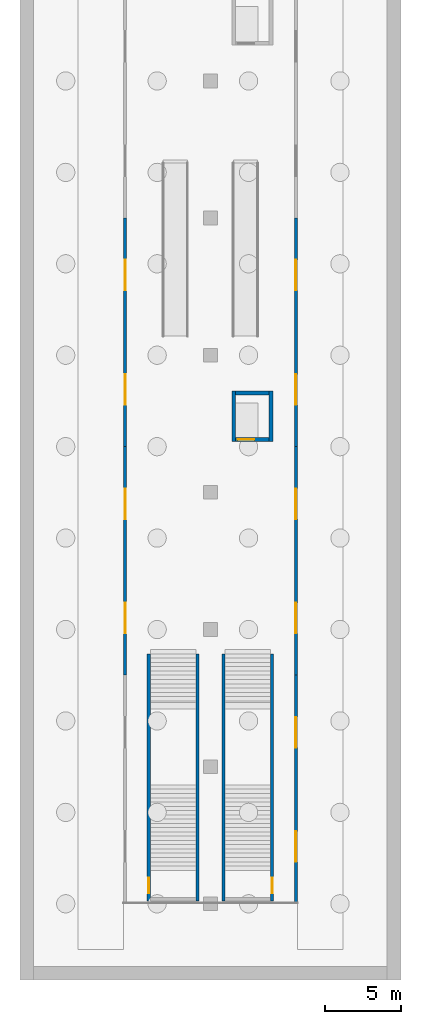
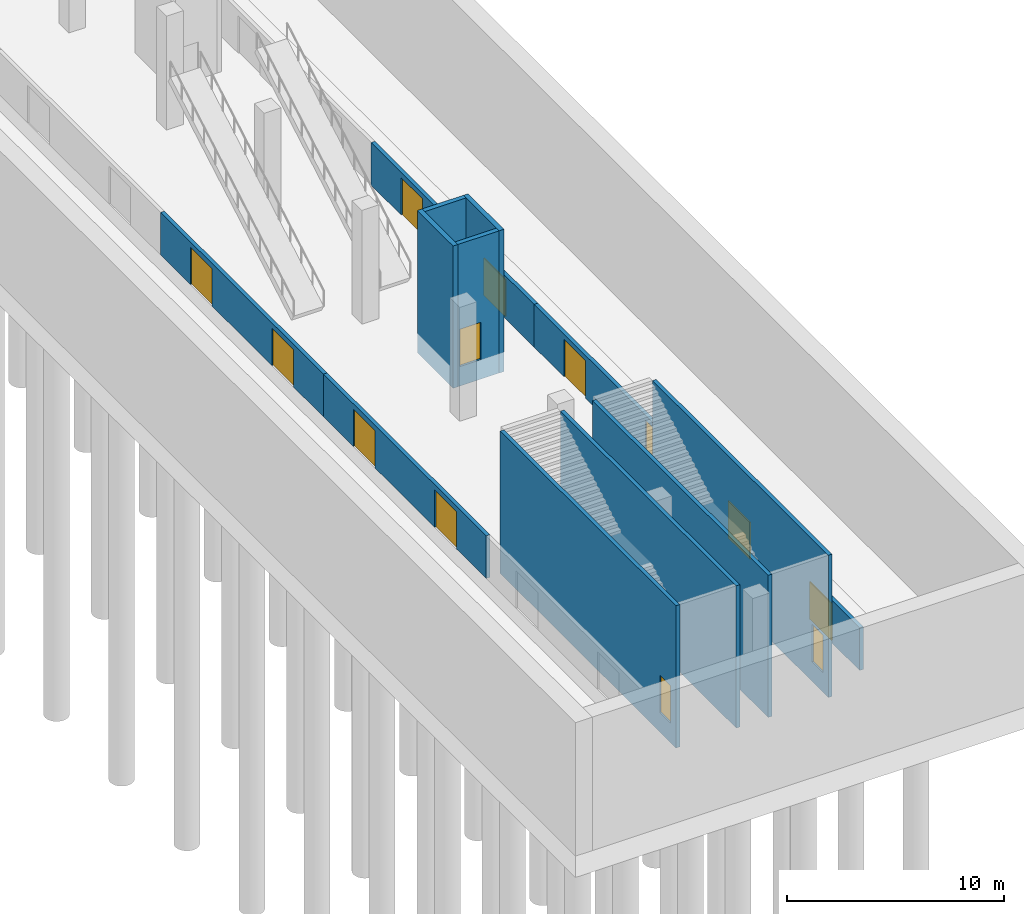
# One storey, part 2 of 16: 13 walls, 10 windows, 3 doors, 13 openings.
"""IFC4 building model written with IfcOpenShell, lengths in metres."""

from ifc_helpers import new_model, si_unit, direction, frame, frame_2d, origin, place, context, subcontext, project, spatial, rectangle, extrude, material, layer, layer_set, type_object, element, fill, save


model = new_model("IFC4")

# Units and contexts
model_context = context("Model", 3, precision=1e-05, world=origin(), true_north=direction((0.0, 1.0)))
body_context = subcontext(model_context, "Body", "Model", "MODEL_VIEW")
ifc_project = project(units=[si_unit("LENGTHUNIT", "METRE"), si_unit("AREAUNIT", "SQUARE_METRE"), si_unit("VOLUMEUNIT", "CUBIC_METRE"), si_unit("PLANEANGLEUNIT", "RADIAN"), si_unit("MASSUNIT", "GRAM", prefix="KILO")], contexts=[model_context])

# Site, building, storey
site_placement = place(None, origin())
site = spatial("IfcSite", under=ifc_project, at=site_placement, CompositionType="ELEMENT")
building_placement = place(site_placement, origin())
building = spatial("IfcBuilding", under=site, at=building_placement, Name="Ogive Plaza Stadium", CompositionType="ELEMENT")
storey_placement = place(building_placement, frame((0.0, 0.0, -11.39990234375)))
storey = spatial("IfcBuildingStorey", under=building, at=storey_placement, Name="B2", CompositionType="ELEMENT", Elevation=-11.39990234375)

# Walls
ifc_material_1 = material(Name="Concrete C40/50", Category="concrete")
ifc_layer_1 = layer(ifc_material_1, 0.25)
ifc_layer_set_1 = layer_set([ifc_layer_1], Name="Concrete C40/50")
wall_type_1 = type_object("IfcWallType", Name="Lift shaft wall 250", PredefinedType="SHEAR", material=ifc_layer_set_1)
for number, where, z_axis, x_axis, name in (
    (1, (109.02490234375, -14.64990234375, -1.10009765625), (0.0, 0.0, 1.0), (0.0, 1.0, 0.0), "Lift shaft wall 250 B2 west"),
    (2, (111.47509765625, -14.64990234375, -1.10009765625), (0.0, 0.0, 1.0), (0.0, 1.0, 0.0), "Lift shaft wall 250 B2 east"),
):
    element("IfcWall", number, at=place(storey_placement, frame(where, z_axis=z_axis, x_axis=x_axis)), inside=storey, type_object=wall_type_1, Name=name, PredefinedType="SHEAR", context=body_context, shape_type="SweptSolid", body=[
        extrude(rectangle(XDim=3.2998046875, YDim=0.25, at=frame_2d((1.64990234375, 0.0))), origin(), (0.0, 0.0, 1.0), 8.0),
    ])

# Wall, opening, door
wall_1_placement = place(storey_placement, frame((109.14990234375, -14.52490234375, -1.10009765625), z_axis=(0.0, 0.0, 1.0), x_axis=(1.0, 0.0, 0.0)))
wall_1 = element("IfcWall", 3, at=wall_1_placement, inside=storey, type_object=wall_type_1, Name="Lift shaft wall 250 B2 south", PredefinedType="SHEAR", context=body_context, shape_type="SweptSolid", body=[
    extrude(rectangle(XDim=2.2001953125, YDim=0.25, at=frame_2d((1.10009765625, 0.0))), origin(), (0.0, 0.0, 1.0), 8.0),
])
opening_1_placement = place(wall_1_placement, frame((0.125, 0.0, 1.10009765625)))
opening_1 = element("IfcOpeningElement", 4, at=opening_1_placement, cuts=wall_1, Name="Opening LD001", PredefinedType="OPENING", context=body_context, shape_type="SweptSolid", body=[
    extrude(rectangle(XDim=1.10009765625, YDim=2.10009765625, at=frame_2d((0.550048828125, 1.050048828125))), frame((0.0, 0.125, 0.0), z_axis=(0.0, -1.0, 0.0), x_axis=(1.0, 0.0, 0.0)), (0.0, 0.0, 1.0), 0.25),
])
ifc_material_2 = material(Name="Stainless steel door set", Category="steel")
door_type_1 = type_object("IfcDoorType", Name="Landing door LD 1100 x 2100", OperationType="SLIDING_TO_LEFT", PredefinedType="DOOR", material=ifc_material_2)
door_1_placement = place(opening_1_placement, origin())
door_1 = element("IfcDoor", 5, at=door_1_placement, inside=storey, type_object=door_type_1, Name="Door LD001", OperationType="SLIDING_TO_LEFT", OverallHeight=2.10009765625, OverallWidth=1.10009765625, PredefinedType="DOOR", context=body_context, shape_type="SweptSolid", body=[
    extrude(rectangle(XDim=1.10009765625, YDim=2.10009765625, at=frame_2d((0.550048828125, 1.050048828125))), frame((0.0, 0.02490234375, 0.0), z_axis=(0.0, -1.0, 0.0), x_axis=(1.0, 0.0, 0.0)), (0.0, 0.0, 1.0), 0.050048828125),
])
fill(opening_1, door_1)

# Wall
wall_2_placement = place(storey_placement, frame((109.14990234375, -11.47509765625, -1.10009765625), z_axis=(0.0, 0.0, 1.0), x_axis=(1.0, 0.0, 0.0)))
element("IfcWall", 6, at=wall_2_placement, inside=storey, type_object=wall_type_1, Name="Lift shaft wall 250 B2 north", PredefinedType="SHEAR", context=body_context, shape_type="SweptSolid", body=[
    extrude(rectangle(XDim=2.2001953125, YDim=0.25, at=frame_2d((1.10009765625, 0.0))), origin(), (0.0, 0.0, 1.0), 8.0),
])

# Wall, openings, windows
ifc_material_3 = material(Name="Laminated glass screen", Category="glass")
ifc_layer_2 = layer(ifc_material_3, 0.199951171875)
ifc_layer_set_2 = layer_set([ifc_layer_2], Name="Platform screen wall 200")
wall_type_2 = type_object("IfcWallType", Name="Platform screen wall 200", PredefinedType="PARTITIONING", material=ifc_layer_set_2)
wall_3_placement = place(storey_placement, frame((101.89990234375, -30.0, 0.0), z_axis=(0.0, 0.0, 1.0), x_axis=(0.0, 1.0, 0.0)))
wall_3 = element("IfcWall", 7, at=wall_3_placement, inside=storey, type_object=wall_type_2, Name="Platform screen wall 2", PredefinedType="PARTITIONING", context=body_context, shape_type="SweptSolid", body=[
    extrude(rectangle(XDim=15.0, YDim=0.199951171875, at=frame_2d((7.5, 0.0))), origin(), (0.0, 0.0, 1.0), 2.39990234375),
])
opening_2_placement = place(wall_3_placement, frame((2.75, 0.0, 0.0)))
opening_2 = element("IfcOpeningElement", 8, at=opening_2_placement, cuts=wall_3, Name="Opening PSG03", PredefinedType="OPENING", context=body_context, shape_type="SweptSolid", body=[
    extrude(rectangle(XDim=2.0, YDim=2.10009765625, at=frame_2d((1.0, 1.050048828125))), frame((0.0, 0.10009765625, 0.0), z_axis=(0.0, -1.0, 0.0), x_axis=(1.0, 0.0, 0.0)), (0.0, 0.0, 1.0), 0.199951171875),
])
opening_3_placement = place(wall_3_placement, frame((10.25, 0.0, 0.0)))
opening_3 = element("IfcOpeningElement", 9, at=opening_3_placement, cuts=wall_3, Name="Opening PSG04", PredefinedType="OPENING", context=body_context, shape_type="SweptSolid", body=[
    extrude(rectangle(XDim=2.0, YDim=2.10009765625, at=frame_2d((1.0, 1.050048828125))), frame((0.0, 0.10009765625, 0.0), z_axis=(0.0, -1.0, 0.0), x_axis=(1.0, 0.0, 0.0)), (0.0, 0.0, 1.0), 0.199951171875),
])
ifc_material_4 = material(Name="Laminated glass and steel frame", Category="steel")
window_type = type_object("IfcWindowType", Name="Platform screen glazing 2000x2100", PartitioningType="DOUBLE_PANEL_HORIZONTAL", PredefinedType="WINDOW", material=ifc_material_4)
window_1_placement = place(opening_2_placement, origin())
window_1 = element("IfcWindow", 10, at=window_1_placement, inside=storey, type_object=window_type, Name="Platform screen glazing PSG03", OverallHeight=2.10009765625, OverallWidth=2.0, PartitioningType="DOUBLE_PANEL_HORIZONTAL", PredefinedType="WINDOW", context=body_context, shape_type="SweptSolid", body=[
    extrude(rectangle(XDim=2.0, YDim=2.10009765625, at=frame_2d((1.0, 1.050048828125))), frame((0.0, 0.030029296875, 0.0), z_axis=(0.0, -1.0, 0.0), x_axis=(1.0, 0.0, 0.0)), (0.0, 0.0, 1.0), 0.06005859375),
])
fill(opening_2, window_1)
window_2_placement = place(opening_3_placement, origin())
window_2 = element("IfcWindow", 11, at=window_2_placement, inside=storey, type_object=window_type, Name="Platform screen glazing PSG04", OverallHeight=2.10009765625, OverallWidth=2.0, PartitioningType="DOUBLE_PANEL_HORIZONTAL", PredefinedType="WINDOW", context=body_context, shape_type="SweptSolid", body=[
    extrude(rectangle(XDim=2.0, YDim=2.10009765625, at=frame_2d((1.0, 1.050048828125))), frame((0.0, 0.030029296875, 0.0), z_axis=(0.0, -1.0, 0.0), x_axis=(1.0, 0.0, 0.0)), (0.0, 0.0, 1.0), 0.06005859375),
])
fill(opening_3, window_2)

wall_4_placement = place(storey_placement, frame((101.89990234375, -15.0, 0.0), z_axis=(0.0, 0.0, 1.0), x_axis=(0.0, 1.0, 0.0)))
wall_4 = element("IfcWall", 12, at=wall_4_placement, inside=storey, type_object=wall_type_2, Name="Platform screen wall 3", PredefinedType="PARTITIONING", context=body_context, shape_type="SweptSolid", body=[
    extrude(rectangle(XDim=15.0, YDim=0.199951171875, at=frame_2d((7.5, 0.0))), origin(), (0.0, 0.0, 1.0), 2.39990234375),
])
opening_4_placement = place(wall_4_placement, frame((2.75, 0.0, 0.0)))
opening_4 = element("IfcOpeningElement", 13, at=opening_4_placement, cuts=wall_4, Name="Opening PSG05", PredefinedType="OPENING", context=body_context, shape_type="SweptSolid", body=[
    extrude(rectangle(XDim=2.0, YDim=2.10009765625, at=frame_2d((1.0, 1.050048828125))), frame((0.0, 0.10009765625, 0.0), z_axis=(0.0, -1.0, 0.0), x_axis=(1.0, 0.0, 0.0)), (0.0, 0.0, 1.0), 0.199951171875),
])
opening_5_placement = place(wall_4_placement, frame((10.25, 0.0, 0.0)))
opening_5 = element("IfcOpeningElement", 14, at=opening_5_placement, cuts=wall_4, Name="Opening PSG06", PredefinedType="OPENING", context=body_context, shape_type="SweptSolid", body=[
    extrude(rectangle(XDim=2.0, YDim=2.10009765625, at=frame_2d((1.0, 1.050048828125))), frame((0.0, 0.10009765625, 0.0), z_axis=(0.0, -1.0, 0.0), x_axis=(1.0, 0.0, 0.0)), (0.0, 0.0, 1.0), 0.199951171875),
])
window_3_placement = place(opening_4_placement, origin())
window_3 = element("IfcWindow", 15, at=window_3_placement, inside=storey, type_object=window_type, Name="Platform screen glazing PSG05", OverallHeight=2.10009765625, OverallWidth=2.0, PartitioningType="DOUBLE_PANEL_HORIZONTAL", PredefinedType="WINDOW", context=body_context, shape_type="SweptSolid", body=[
    extrude(rectangle(XDim=2.0, YDim=2.10009765625, at=frame_2d((1.0, 1.050048828125))), frame((0.0, 0.030029296875, 0.0), z_axis=(0.0, -1.0, 0.0), x_axis=(1.0, 0.0, 0.0)), (0.0, 0.0, 1.0), 0.06005859375),
])
fill(opening_4, window_3)
window_4_placement = place(opening_5_placement, origin())
window_4 = element("IfcWindow", 16, at=window_4_placement, inside=storey, type_object=window_type, Name="Platform screen glazing PSG06", OverallHeight=2.10009765625, OverallWidth=2.0, PartitioningType="DOUBLE_PANEL_HORIZONTAL", PredefinedType="WINDOW", context=body_context, shape_type="SweptSolid", body=[
    extrude(rectangle(XDim=2.0, YDim=2.10009765625, at=frame_2d((1.0, 1.050048828125))), frame((0.0, 0.030029296875, 0.0), z_axis=(0.0, -1.0, 0.0), x_axis=(1.0, 0.0, 0.0)), (0.0, 0.0, 1.0), 0.06005859375),
])
fill(opening_5, window_4)

wall_5_placement = place(storey_placement, frame((113.10009765625, -45.0, 0.0), z_axis=(0.0, 0.0, 1.0), x_axis=(0.0, 1.0, 0.0)))
wall_5 = element("IfcWall", 17, at=wall_5_placement, inside=storey, type_object=wall_type_2, Name="Platform screen wall 7", PredefinedType="PARTITIONING", context=body_context, shape_type="SweptSolid", body=[
    extrude(rectangle(XDim=15.0, YDim=0.199951171875, at=frame_2d((7.5, 0.0))), origin(), (0.0, 0.0, 1.0), 2.39990234375),
])
opening_6_placement = place(wall_5_placement, frame((2.75, 0.0, 0.0)))
opening_6 = element("IfcOpeningElement", 18, at=opening_6_placement, cuts=wall_5, Name="Opening PSG13", PredefinedType="OPENING", context=body_context, shape_type="SweptSolid", body=[
    extrude(rectangle(XDim=2.0, YDim=2.10009765625, at=frame_2d((1.0, 1.050048828125))), frame((0.0, 0.10009765625, 0.0), z_axis=(0.0, -1.0, 0.0), x_axis=(1.0, 0.0, 0.0)), (0.0, 0.0, 1.0), 0.199951171875),
])
opening_7_placement = place(wall_5_placement, frame((10.25, 0.0, 0.0)))
opening_7 = element("IfcOpeningElement", 19, at=opening_7_placement, cuts=wall_5, Name="Opening PSG14", PredefinedType="OPENING", context=body_context, shape_type="SweptSolid", body=[
    extrude(rectangle(XDim=2.0, YDim=2.10009765625, at=frame_2d((1.0, 1.050048828125))), frame((0.0, 0.10009765625, 0.0), z_axis=(0.0, -1.0, 0.0), x_axis=(1.0, 0.0, 0.0)), (0.0, 0.0, 1.0), 0.199951171875),
])
window_5_placement = place(opening_6_placement, origin())
window_5 = element("IfcWindow", 20, at=window_5_placement, inside=storey, type_object=window_type, Name="Platform screen glazing PSG13", OverallHeight=2.10009765625, OverallWidth=2.0, PartitioningType="DOUBLE_PANEL_HORIZONTAL", PredefinedType="WINDOW", context=body_context, shape_type="SweptSolid", body=[
    extrude(rectangle(XDim=2.0, YDim=2.10009765625, at=frame_2d((1.0, 1.050048828125))), frame((0.0, 0.030029296875, 0.0), z_axis=(0.0, -1.0, 0.0), x_axis=(1.0, 0.0, 0.0)), (0.0, 0.0, 1.0), 0.06005859375),
])
fill(opening_6, window_5)
window_6_placement = place(opening_7_placement, origin())
window_6 = element("IfcWindow", 21, at=window_6_placement, inside=storey, type_object=window_type, Name="Platform screen glazing PSG14", OverallHeight=2.10009765625, OverallWidth=2.0, PartitioningType="DOUBLE_PANEL_HORIZONTAL", PredefinedType="WINDOW", context=body_context, shape_type="SweptSolid", body=[
    extrude(rectangle(XDim=2.0, YDim=2.10009765625, at=frame_2d((1.0, 1.050048828125))), frame((0.0, 0.030029296875, 0.0), z_axis=(0.0, -1.0, 0.0), x_axis=(1.0, 0.0, 0.0)), (0.0, 0.0, 1.0), 0.06005859375),
])
fill(opening_7, window_6)

wall_6_placement = place(storey_placement, frame((113.10009765625, -30.0, 0.0), z_axis=(0.0, 0.0, 1.0), x_axis=(0.0, 1.0, 0.0)))
wall_6 = element("IfcWall", 22, at=wall_6_placement, inside=storey, type_object=wall_type_2, Name="Platform screen wall 8", PredefinedType="PARTITIONING", context=body_context, shape_type="SweptSolid", body=[
    extrude(rectangle(XDim=15.0, YDim=0.199951171875, at=frame_2d((7.5, 0.0))), origin(), (0.0, 0.0, 1.0), 2.39990234375),
])
opening_8_placement = place(wall_6_placement, frame((2.75, 0.0, 0.0)))
opening_8 = element("IfcOpeningElement", 23, at=opening_8_placement, cuts=wall_6, Name="Opening PSG15", PredefinedType="OPENING", context=body_context, shape_type="SweptSolid", body=[
    extrude(rectangle(XDim=2.0, YDim=2.10009765625, at=frame_2d((1.0, 1.050048828125))), frame((0.0, 0.10009765625, 0.0), z_axis=(0.0, -1.0, 0.0), x_axis=(1.0, 0.0, 0.0)), (0.0, 0.0, 1.0), 0.199951171875),
])
opening_9_placement = place(wall_6_placement, frame((10.25, 0.0, 0.0)))
opening_9 = element("IfcOpeningElement", 24, at=opening_9_placement, cuts=wall_6, Name="Opening PSG16", PredefinedType="OPENING", context=body_context, shape_type="SweptSolid", body=[
    extrude(rectangle(XDim=2.0, YDim=2.10009765625, at=frame_2d((1.0, 1.050048828125))), frame((0.0, 0.10009765625, 0.0), z_axis=(0.0, -1.0, 0.0), x_axis=(1.0, 0.0, 0.0)), (0.0, 0.0, 1.0), 0.199951171875),
])
window_7_placement = place(opening_8_placement, origin())
window_7 = element("IfcWindow", 25, at=window_7_placement, inside=storey, type_object=window_type, Name="Platform screen glazing PSG15", OverallHeight=2.10009765625, OverallWidth=2.0, PartitioningType="DOUBLE_PANEL_HORIZONTAL", PredefinedType="WINDOW", context=body_context, shape_type="SweptSolid", body=[
    extrude(rectangle(XDim=2.0, YDim=2.10009765625, at=frame_2d((1.0, 1.050048828125))), frame((0.0, 0.030029296875, 0.0), z_axis=(0.0, -1.0, 0.0), x_axis=(1.0, 0.0, 0.0)), (0.0, 0.0, 1.0), 0.06005859375),
])
fill(opening_8, window_7)
window_8_placement = place(opening_9_placement, origin())
window_8 = element("IfcWindow", 26, at=window_8_placement, inside=storey, type_object=window_type, Name="Platform screen glazing PSG16", OverallHeight=2.10009765625, OverallWidth=2.0, PartitioningType="DOUBLE_PANEL_HORIZONTAL", PredefinedType="WINDOW", context=body_context, shape_type="SweptSolid", body=[
    extrude(rectangle(XDim=2.0, YDim=2.10009765625, at=frame_2d((1.0, 1.050048828125))), frame((0.0, 0.030029296875, 0.0), z_axis=(0.0, -1.0, 0.0), x_axis=(1.0, 0.0, 0.0)), (0.0, 0.0, 1.0), 0.06005859375),
])
fill(opening_9, window_8)

wall_7_placement = place(storey_placement, frame((113.10009765625, -15.0, 0.0), z_axis=(0.0, 0.0, 1.0), x_axis=(0.0, 1.0, 0.0)))
wall_7 = element("IfcWall", 27, at=wall_7_placement, inside=storey, type_object=wall_type_2, Name="Platform screen wall 9", PredefinedType="PARTITIONING", context=body_context, shape_type="SweptSolid", body=[
    extrude(rectangle(XDim=15.0, YDim=0.199951171875, at=frame_2d((7.5, 0.0))), origin(), (0.0, 0.0, 1.0), 2.39990234375),
])
opening_10_placement = place(wall_7_placement, frame((2.75, 0.0, 0.0)))
opening_10 = element("IfcOpeningElement", 28, at=opening_10_placement, cuts=wall_7, Name="Opening PSG17", PredefinedType="OPENING", context=body_context, shape_type="SweptSolid", body=[
    extrude(rectangle(XDim=2.0, YDim=2.10009765625, at=frame_2d((1.0, 1.050048828125))), frame((0.0, 0.10009765625, 0.0), z_axis=(0.0, -1.0, 0.0), x_axis=(1.0, 0.0, 0.0)), (0.0, 0.0, 1.0), 0.199951171875),
])
opening_11_placement = place(wall_7_placement, frame((10.25, 0.0, 0.0)))
opening_11 = element("IfcOpeningElement", 29, at=opening_11_placement, cuts=wall_7, Name="Opening PSG18", PredefinedType="OPENING", context=body_context, shape_type="SweptSolid", body=[
    extrude(rectangle(XDim=2.0, YDim=2.10009765625, at=frame_2d((1.0, 1.050048828125))), frame((0.0, 0.10009765625, 0.0), z_axis=(0.0, -1.0, 0.0), x_axis=(1.0, 0.0, 0.0)), (0.0, 0.0, 1.0), 0.199951171875),
])
window_9_placement = place(opening_10_placement, origin())
window_9 = element("IfcWindow", 30, at=window_9_placement, inside=storey, type_object=window_type, Name="Platform screen glazing PSG17", OverallHeight=2.10009765625, OverallWidth=2.0, PartitioningType="DOUBLE_PANEL_HORIZONTAL", PredefinedType="WINDOW", context=body_context, shape_type="SweptSolid", body=[
    extrude(rectangle(XDim=2.0, YDim=2.10009765625, at=frame_2d((1.0, 1.050048828125))), frame((0.0, 0.030029296875, 0.0), z_axis=(0.0, -1.0, 0.0), x_axis=(1.0, 0.0, 0.0)), (0.0, 0.0, 1.0), 0.06005859375),
])
fill(opening_10, window_9)
window_10_placement = place(opening_11_placement, origin())
window_10 = element("IfcWindow", 31, at=window_10_placement, inside=storey, type_object=window_type, Name="Platform screen glazing PSG18", OverallHeight=2.10009765625, OverallWidth=2.0, PartitioningType="DOUBLE_PANEL_HORIZONTAL", PredefinedType="WINDOW", context=body_context, shape_type="SweptSolid", body=[
    extrude(rectangle(XDim=2.0, YDim=2.10009765625, at=frame_2d((1.0, 1.050048828125))), frame((0.0, 0.030029296875, 0.0), z_axis=(0.0, -1.0, 0.0), x_axis=(1.0, 0.0, 0.0)), (0.0, 0.0, 1.0), 0.06005859375),
])
fill(opening_11, window_10)

# Wall, opening, door
ifc_material_5 = material(Name="Concrete C40/50", Category="concrete")
ifc_layer_3 = layer(ifc_material_5, 0.199951171875)
ifc_layer_set_3 = layer_set([ifc_layer_3], Name="Concrete C40/50")
wall_type_3 = type_object("IfcWallType", Name="Stair enclosure wall 200", PredefinedType="SHEAR", material=ifc_layer_set_3)
wall_8_placement = place(storey_placement, frame((103.449951171875, -44.800048828125, -1.10009765625), z_axis=(0.0, 0.0, 1.0), x_axis=(0.0, 1.0, 0.0)))
wall_8 = element("IfcWall", 32, at=wall_8_placement, inside=storey, type_object=wall_type_3, Name="Stair enclosure wall 200 B2 west", PredefinedType="SHEAR", context=body_context, shape_type="SweptSolid", body=[
    extrude(rectangle(XDim=16.199951171875, YDim=0.199951171875, at=frame_2d((8.10009765625, 0.0))), origin(), (0.0, 0.0, 1.0), 8.0),
])
opening_12_placement = place(wall_8_placement, frame((0.5, 0.0, 1.10009765625)))
opening_12 = element("IfcOpeningElement", 33, at=opening_12_placement, cuts=wall_8, Name="Opening SD001", PredefinedType="OPENING", context=body_context, shape_type="SweptSolid", body=[
    extrude(rectangle(XDim=1.0, YDim=2.10009765625, at=frame_2d((0.5, 1.050048828125))), frame((0.0, 0.10009765625, 0.0), z_axis=(0.0, -1.0, 0.0), x_axis=(1.0, 0.0, 0.0)), (0.0, 0.0, 1.0), 0.199951171875),
])
ifc_material_6 = material(Name="Steel ASTM A572 Grade 50", Category="steel")
door_type_2 = type_object("IfcDoorType", Name="Fire door FD60 1000 x 2100", OperationType="SINGLE_SWING_LEFT", PredefinedType="DOOR", material=ifc_material_6)
door_2_placement = place(opening_12_placement, origin())
door_2 = element("IfcDoor", 34, at=door_2_placement, inside=storey, type_object=door_type_2, Name="Door SD001", OperationType="SINGLE_SWING_LEFT", OverallHeight=2.10009765625, OverallWidth=1.0, PredefinedType="DOOR", context=body_context, shape_type="SweptSolid", body=[
    extrude(rectangle(XDim=1.0, YDim=2.10009765625, at=frame_2d((0.5, 1.050048828125))), frame((0.0, 0.02490234375, 0.0), z_axis=(0.0, -1.0, 0.0), x_axis=(1.0, 0.0, 0.0)), (0.0, 0.0, 1.0), 0.050048828125),
])
fill(opening_12, door_2)

# Walls
for number, where, z_axis, x_axis, name in (
    (35, (106.64990234375, -44.800048828125, -1.10009765625), (0.0, 0.0, 1.0), (0.0, 1.0, 0.0), "Stair enclosure wall 200 B2 east"),
    (36, (108.35009765625, -44.800048828125, -1.10009765625), (0.0, 0.0, 1.0), (0.0, 1.0, 0.0), "Stair enclosure wall 200 B2 west"),
):
    element("IfcWall", number, at=place(storey_placement, frame(where, z_axis=z_axis, x_axis=x_axis)), inside=storey, type_object=wall_type_3, Name=name, PredefinedType="SHEAR", context=body_context, shape_type="SweptSolid", body=[
        extrude(rectangle(XDim=16.199951171875, YDim=0.199951171875, at=frame_2d((8.10009765625, 0.0))), origin(), (0.0, 0.0, 1.0), 8.0),
    ])

# Wall, opening, door
wall_9_placement = place(storey_placement, frame((111.550048828125, -44.800048828125, -1.10009765625), z_axis=(0.0, 0.0, 1.0), x_axis=(0.0, 1.0, 0.0)))
wall_9 = element("IfcWall", 37, at=wall_9_placement, inside=storey, type_object=wall_type_3, Name="Stair enclosure wall 200 B2 east", PredefinedType="SHEAR", context=body_context, shape_type="SweptSolid", body=[
    extrude(rectangle(XDim=16.199951171875, YDim=0.199951171875, at=frame_2d((8.10009765625, 0.0))), origin(), (0.0, 0.0, 1.0), 8.0),
])
opening_13_placement = place(wall_9_placement, frame((0.5, 0.0, 1.10009765625)))
opening_13 = element("IfcOpeningElement", 38, at=opening_13_placement, cuts=wall_9, Name="Opening SD003", PredefinedType="OPENING", context=body_context, shape_type="SweptSolid", body=[
    extrude(rectangle(XDim=1.0, YDim=2.10009765625, at=frame_2d((0.5, 1.050048828125))), frame((0.0, 0.10009765625, 0.0), z_axis=(0.0, -1.0, 0.0), x_axis=(1.0, 0.0, 0.0)), (0.0, 0.0, 1.0), 0.199951171875),
])
door_3_placement = place(opening_13_placement, origin())
door_3 = element("IfcDoor", 39, at=door_3_placement, inside=storey, type_object=door_type_2, Name="Door SD003", OperationType="SINGLE_SWING_RIGHT", OverallHeight=2.10009765625, OverallWidth=1.0, PredefinedType="DOOR", context=body_context, shape_type="SweptSolid", body=[
    extrude(rectangle(XDim=1.0, YDim=2.10009765625, at=frame_2d((0.5, 1.050048828125))), frame((0.0, 0.02490234375, 0.0), z_axis=(0.0, -1.0, 0.0), x_axis=(1.0, 0.0, 0.0)), (0.0, 0.0, 1.0), 0.050048828125),
])
fill(opening_13, door_3)

save(model, "model.ifc")
